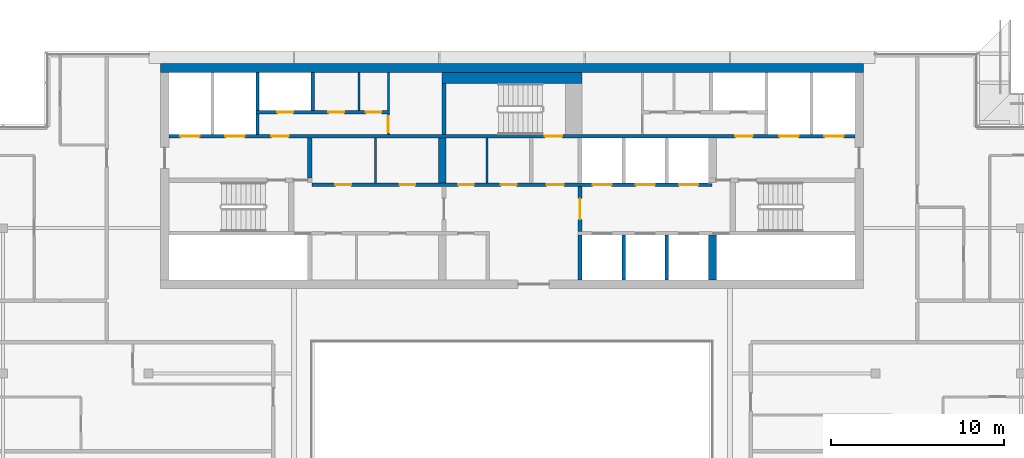
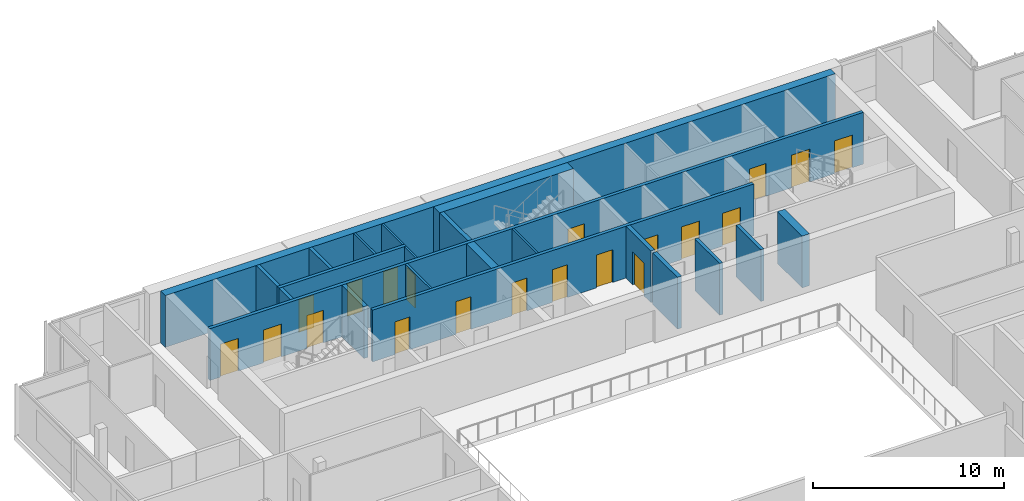
# One storey, part 19 of 24: 21 walls, 20 doors, 20 openings.
"""IFC4 building model written with IfcOpenShell, lengths in metres."""

from ifc_helpers import new_model, si_unit, direction, frame, frame_2d, origin, place, context, subcontext, project, spatial, rectangle, extrude, material, layer, layer_set, type_object, element, fill, save


model = new_model("IFC4")

# Units and contexts
model_context = context("Model", 3, precision=1e-05, world=origin(), true_north=direction((0.0, 1.0)))
body_context = subcontext(model_context, "Body", "Model", "MODEL_VIEW")
ifc_project = project(units=[si_unit("LENGTHUNIT", "METRE"), si_unit("AREAUNIT", "SQUARE_METRE"), si_unit("VOLUMEUNIT", "CUBIC_METRE"), si_unit("PLANEANGLEUNIT", "RADIAN"), si_unit("MASSUNIT", "GRAM", prefix="KILO")], contexts=[model_context])

# Site, building, storey
site_placement = place(None, origin())
site = spatial("IfcSite", under=ifc_project, at=site_placement, CompositionType="ELEMENT")
building_placement = place(site_placement, origin())
building = spatial("IfcBuilding", under=site, at=building_placement, Name="Saffron Gate Tower", CompositionType="ELEMENT")
storey_placement = place(building_placement, frame((0.0, 0.0, 281.550048828125)))
storey = spatial("IfcBuildingStorey", under=building, at=storey_placement, Name="L68", CompositionType="ELEMENT", Elevation=281.550048828125)

# Walls
ifc_material_1 = material(Name="Concrete C50", Category="concrete")
ifc_layer_1 = layer(ifc_material_1, 0.5)
ifc_layer_set_1 = layer_set([ifc_layer_1], Name="CW22 RC core wall 500 C50")
wall_type_1 = type_object("IfcWallType", Name="CW22 RC core wall 500 C50", PredefinedType="SOLIDWALL", material=ifc_layer_set_1)
wall_1_placement = place(storey_placement, frame((67.300048828125, 74.64990234375, 0.0), z_axis=(0.0, 0.0, 1.0), x_axis=(1.0, 0.0, 0.0)))
element("IfcWall", 1, at=wall_1_placement, inside=storey, type_object=wall_type_1, Name="Wall CW22-L68-2", PredefinedType="SOLIDWALL", context=body_context, shape_type="SweptSolid", body=[
    extrude(rectangle(XDim=40.599853515625, YDim=0.5, at=frame_2d((20.2998046875, 0.0))), origin(), (0.0, 0.0, 1.0), 3.320068359375),
])
ifc_layer_2 = layer(ifc_material_1, 0.25)
ifc_layer_set_2 = layer_set([ifc_layer_2], Name="CW23 RC core wall 250 C50")
wall_type_2 = type_object("IfcWallType", Name="CW23 RC core wall 250 C50", PredefinedType="SOLIDWALL", material=ifc_layer_set_2)
wall_2_placement = place(storey_placement, frame((91.52490234375, 62.39990234375, 0.0), z_axis=(0.0, 0.0, 1.0), x_axis=(0.0, 1.0, 0.0)))
element("IfcWall", 2, at=wall_2_placement, inside=storey, type_object=wall_type_2, Name="Wall CW23-L68-9", PredefinedType="SOLIDWALL", context=body_context, shape_type="SweptSolid", body=[
    extrude(rectangle(XDim=2.60009765625, YDim=0.25, at=frame_2d((1.300048828125, 0.0))), origin(), (0.0, 0.0, 1.0), 3.320068359375),
])

# Wall, opening, door
wall_3_placement = place(storey_placement, frame((91.52490234375, 65.199951171875, 0.0), z_axis=(0.0, 0.0, 1.0), x_axis=(0.0, 1.0, 0.0)))
wall_3 = element("IfcWall", 3, at=wall_3_placement, inside=storey, type_object=wall_type_2, Name="Wall CW23-L68-17", PredefinedType="SOLIDWALL", context=body_context, shape_type="SweptSolid", body=[
    extrude(rectangle(XDim=2.60009765625, YDim=0.25, at=frame_2d((1.300048828125, 0.0))), origin(), (0.0, 0.0, 1.0), 3.320068359375),
])
opening_1_placement = place(wall_3_placement, frame((0.699951171875, 0.0, 0.0)))
opening_1 = element("IfcOpeningElement", 4, at=opening_1_placement, cuts=wall_3, Name="Opening CR-01", PredefinedType="OPENING", context=body_context, shape_type="SweptSolid", body=[
    extrude(rectangle(XDim=1.199951171875, YDim=2.10009765625, at=frame_2d((0.60009765625, 1.050048828125))), frame((0.0, 0.135009765625, 0.0), z_axis=(0.0, -1.0, 0.0), x_axis=(1.0, 0.0, 0.0)), (0.0, 0.0, 1.0), 0.27001953125),
])
ifc_material_2 = material(Name="Steel fire door set", Category="steel")
door_type_1 = type_object("IfcDoorType", Name="CD3 Lobby door 1200x2100 EI 120", OperationType="NOTDEFINED", PredefinedType="DOOR", material=ifc_material_2)
door_1_placement = place(opening_1_placement, origin())
door_1 = element("IfcDoor", 5, at=door_1_placement, inside=storey, type_object=door_type_1, Name="DOOR CR-01", OperationType="SINGLE_SWING_RIGHT", OverallHeight=2.10009765625, OverallWidth=1.199951171875, PredefinedType="DOOR", context=body_context, shape_type="SweptSolid", body=[
    extrude(rectangle(XDim=1.199951171875, YDim=2.10009765625, at=frame_2d((0.60009765625, 1.050048828125))), frame((0.0, 0.02490234375, 0.0), z_axis=(0.0, -1.0, 0.0), x_axis=(1.0, 0.0, 0.0)), (0.0, 0.0, 1.0), 0.050048828125),
])
fill(opening_1, door_1)

# Walls
wall_4_placement = place(storey_placement, frame((75.925048828125, 68.300048828125, 0.0), z_axis=(0.0, 0.0, 1.0), x_axis=(0.0, 1.0, 0.0)))
element("IfcWall", 6, at=wall_4_placement, inside=storey, type_object=wall_type_2, Name="Wall CW23-L68-30", PredefinedType="SOLIDWALL", context=body_context, shape_type="SweptSolid", body=[
    extrude(rectangle(XDim=2.300048828125, YDim=0.25, at=frame_2d((1.14990234375, 0.0))), origin(), (0.0, 0.0, 1.0), 3.320068359375),
])
wall_5_placement = place(storey_placement, frame((83.675048828125, 70.800048828125, 0.0), z_axis=(0.0, 0.0, 1.0), x_axis=(0.0, 1.0, 0.0)))
element("IfcWall", 7, at=wall_5_placement, inside=storey, type_object=wall_type_2, Name="Wall CW23-L68-36", PredefinedType="SOLIDWALL", context=body_context, shape_type="SweptSolid", body=[
    extrude(rectangle(XDim=2.949951171875, YDim=0.25, at=frame_2d((1.47509765625, 0.0))), origin(), (0.0, 0.0, 1.0), 3.320068359375),
])
ifc_layer_3 = layer(ifc_material_1, 0.449951171875)
ifc_layer_set_3 = layer_set([ifc_layer_3], Name="CW24 RC core wall 450 C50")
wall_type_3 = type_object("IfcWallType", Name="CW24 RC core wall 450 C50", PredefinedType="SOLIDWALL", material=ifc_layer_set_3)
for number, where, z_axis, x_axis, name in (
    (8, (99.175048828125, 62.39990234375, 0.0), (0.0, 0.0, 1.0), (0.0, 1.0, 0.0), "Wall CW24-L68-12"),
    (9, (83.574951171875, 68.0, 0.0), (0.0, 0.0, 1.0), (0.0, 1.0, 0.0), "Wall CW24-L68-21"),
):
    element("IfcWall", number, at=place(storey_placement, frame(where, z_axis=z_axis, x_axis=x_axis)), inside=storey, type_object=wall_type_3, Name=name, PredefinedType="SOLIDWALL", context=body_context, shape_type="SweptSolid", body=[
        extrude(rectangle(XDim=2.60009765625, YDim=0.449951171875, at=frame_2d((1.300048828125, 0.0))), origin(), (0.0, 0.0, 1.0), 3.320068359375),
    ])
ifc_layer_4 = layer(ifc_material_1, 0.199951171875)
ifc_layer_set_4 = layer_set([ifc_layer_4], Name="CW25 RC core wall 200 C50")
wall_type_4 = type_object("IfcWallType", Name="CW25 RC core wall 200 C50", PredefinedType="SOLIDWALL", material=ifc_layer_set_4)
for number, where, z_axis, x_axis, name in (
    (10, (94.050048828125, 62.39990234375, 0.0), (0.0, 0.0, 1.0), (0.0, 1.0, 0.0), "Wall CW25-L68-10"),
    (11, (96.550048828125, 62.39990234375, 0.0), (0.0, 0.0, 1.0), (0.0, 1.0, 0.0), "Wall CW25-L68-11"),
):
    element("IfcWall", number, at=place(storey_placement, frame(where, z_axis=z_axis, x_axis=x_axis)), inside=storey, type_object=wall_type_4, Name=name, PredefinedType="SOLIDWALL", context=body_context, shape_type="SweptSolid", body=[
        extrude(rectangle(XDim=2.60009765625, YDim=0.199951171875, at=frame_2d((1.300048828125, 0.0))), origin(), (0.0, 0.0, 1.0), 3.320068359375),
    ])

# Wall, openings, doors
wall_6_placement = place(storey_placement, frame((76.050048828125, 67.89990234375, 0.0), z_axis=(0.0, 0.0, 1.0), x_axis=(1.0, 0.0, 0.0)))
wall_6 = element("IfcWall", 12, at=wall_6_placement, inside=storey, type_object=wall_type_4, Name="Wall CW25-L68-19", PredefinedType="SOLIDWALL", context=body_context, shape_type="SweptSolid", body=[
    extrude(rectangle(XDim=23.099853515625, YDim=0.199951171875, at=frame_2d((11.5498046875, 0.0))), origin(), (0.0, 0.0, 1.0), 3.320068359375),
])
opening_2_placement = place(wall_6_placement, frame((1.35009765625, 0.0, 0.0)))
opening_2 = element("IfcOpeningElement", 13, at=opening_2_placement, cuts=wall_6, Name="Opening CR-61", PredefinedType="OPENING", context=body_context, shape_type="SweptSolid", body=[
    extrude(rectangle(XDim=0.89990234375, YDim=2.10009765625, at=frame_2d((0.449951171875, 1.050048828125))), frame((0.0, 0.10986328125, 0.0), z_axis=(0.0, -1.0, 0.0), x_axis=(1.0, 0.0, 0.0)), (0.0, 0.0, 1.0), 0.219970703125),
])
opening_3_placement = place(wall_6_placement, frame((5.06005859375, 0.0, 0.0)))
opening_3 = element("IfcOpeningElement", 14, at=opening_3_placement, cuts=wall_6, Name="Opening CR-62", PredefinedType="OPENING", context=body_context, shape_type="SweptSolid", body=[
    extrude(rectangle(XDim=0.89990234375, YDim=2.10009765625, at=frame_2d((0.449951171875, 1.050048828125))), frame((0.0, 0.10986328125, 0.0), z_axis=(0.0, -1.0, 0.0), x_axis=(1.0, 0.0, 0.0)), (0.0, 0.0, 1.0), 0.219970703125),
])
opening_4_placement = place(wall_6_placement, frame((8.449951171875, 0.0, 0.0)))
opening_4 = element("IfcOpeningElement", 15, at=opening_4_placement, cuts=wall_6, Name="Opening CR-67", PredefinedType="OPENING", context=body_context, shape_type="SweptSolid", body=[
    extrude(rectangle(XDim=0.89990234375, YDim=2.10009765625, at=frame_2d((0.449951171875, 1.050048828125))), frame((0.0, 0.10986328125, 0.0), z_axis=(0.0, -1.0, 0.0), x_axis=(1.0, 0.0, 0.0)), (0.0, 0.0, 1.0), 0.219970703125),
])
opening_5_placement = place(wall_6_placement, frame((10.909912109375, 0.0, 0.0)))
opening_5 = element("IfcOpeningElement", 16, at=opening_5_placement, cuts=wall_6, Name="Opening CR-68", PredefinedType="OPENING", context=body_context, shape_type="SweptSolid", body=[
    extrude(rectangle(XDim=0.89990234375, YDim=2.10009765625, at=frame_2d((0.449951171875, 1.050048828125))), frame((0.0, 0.10986328125, 0.0), z_axis=(0.0, -1.0, 0.0), x_axis=(1.0, 0.0, 0.0)), (0.0, 0.0, 1.0), 0.219970703125),
])
opening_6_placement = place(wall_6_placement, frame((13.550048828125, 0.0, 0.0)))
opening_6 = element("IfcOpeningElement", 17, at=opening_6_placement, cuts=wall_6, Name="Opening CR-02", PredefinedType="OPENING", context=body_context, shape_type="SweptSolid", body=[
    extrude(rectangle(XDim=1.0, YDim=2.10009765625, at=frame_2d((0.5, 1.050048828125))), frame((0.0, 0.10986328125, 0.0), z_axis=(0.0, -1.0, 0.0), x_axis=(1.0, 0.0, 0.0)), (0.0, 0.0, 1.0), 0.219970703125),
])
opening_7_placement = place(wall_6_placement, frame((16.199951171875, 0.0, 0.0)))
opening_7 = element("IfcOpeningElement", 18, at=opening_7_placement, cuts=wall_6, Name="Opening LD-HR4", PredefinedType="OPENING", context=body_context, shape_type="SweptSolid", body=[
    extrude(rectangle(XDim=1.10009765625, YDim=2.10009765625, at=frame_2d((0.550048828125, 1.050048828125))), frame((0.0, 0.10986328125, 0.0), z_axis=(0.0, -1.0, 0.0), x_axis=(1.0, 0.0, 0.0)), (0.0, 0.0, 1.0), 0.219970703125),
])
opening_8_placement = place(wall_6_placement, frame((18.699951171875, 0.0, 0.0)))
opening_8 = element("IfcOpeningElement", 19, at=opening_8_placement, cuts=wall_6, Name="Opening LD-HR5", PredefinedType="OPENING", context=body_context, shape_type="SweptSolid", body=[
    extrude(rectangle(XDim=1.10009765625, YDim=2.10009765625, at=frame_2d((0.550048828125, 1.050048828125))), frame((0.0, 0.10986328125, 0.0), z_axis=(0.0, -1.0, 0.0), x_axis=(1.0, 0.0, 0.0)), (0.0, 0.0, 1.0), 0.219970703125),
])
opening_9_placement = place(wall_6_placement, frame((21.199951171875, 0.0, 0.0)))
opening_9 = element("IfcOpeningElement", 20, at=opening_9_placement, cuts=wall_6, Name="Opening LD-HR6", PredefinedType="OPENING", context=body_context, shape_type="SweptSolid", body=[
    extrude(rectangle(XDim=1.10009765625, YDim=2.10009765625, at=frame_2d((0.550048828125, 1.050048828125))), frame((0.0, 0.10986328125, 0.0), z_axis=(0.0, -1.0, 0.0), x_axis=(1.0, 0.0, 0.0)), (0.0, 0.0, 1.0), 0.219970703125),
])
door_type_2 = type_object("IfcDoorType", Name="CD4 Lobby door 1000x2100 EI 120", OperationType="NOTDEFINED", PredefinedType="DOOR", material=ifc_material_2)
door_2_placement = place(opening_6_placement, origin())
door_2 = element("IfcDoor", 21, at=door_2_placement, inside=storey, type_object=door_type_2, Name="DOOR CR-02", OperationType="SINGLE_SWING_LEFT", OverallHeight=2.10009765625, OverallWidth=1.0, PredefinedType="DOOR", context=body_context, shape_type="SweptSolid", body=[
    extrude(rectangle(XDim=1.0, YDim=2.10009765625, at=frame_2d((0.5, 1.050048828125))), frame((0.0, 0.02490234375, 0.0), z_axis=(0.0, -1.0, 0.0), x_axis=(1.0, 0.0, 0.0)), (0.0, 0.0, 1.0), 0.050048828125),
])
fill(opening_6, door_2)
door_type_3 = type_object("IfcDoorType", Name="CD9 Room door 900x2100 EI 60", OperationType="NOTDEFINED", PredefinedType="DOOR", material=ifc_material_2)
door_3_placement = place(opening_2_placement, origin())
door_3 = element("IfcDoor", 22, at=door_3_placement, inside=storey, type_object=door_type_3, Name="DOOR CR-61", OperationType="SINGLE_SWING_LEFT", OverallHeight=2.10009765625, OverallWidth=0.89990234375, PredefinedType="DOOR", context=body_context, shape_type="SweptSolid", body=[
    extrude(rectangle(XDim=0.89990234375, YDim=2.10009765625, at=frame_2d((0.449951171875, 1.050048828125))), frame((0.0, 0.02490234375, 0.0), z_axis=(0.0, -1.0, 0.0), x_axis=(1.0, 0.0, 0.0)), (0.0, 0.0, 1.0), 0.050048828125),
])
fill(opening_2, door_3)
door_4_placement = place(opening_3_placement, origin())
door_4 = element("IfcDoor", 23, at=door_4_placement, inside=storey, type_object=door_type_3, Name="DOOR CR-62", OperationType="SINGLE_SWING_LEFT", OverallHeight=2.10009765625, OverallWidth=0.89990234375, PredefinedType="DOOR", context=body_context, shape_type="SweptSolid", body=[
    extrude(rectangle(XDim=0.89990234375, YDim=2.10009765625, at=frame_2d((0.449951171875, 1.050048828125))), frame((0.0, 0.02490234375, 0.0), z_axis=(0.0, -1.0, 0.0), x_axis=(1.0, 0.0, 0.0)), (0.0, 0.0, 1.0), 0.050048828125),
])
fill(opening_3, door_4)
door_5_placement = place(opening_4_placement, origin())
door_5 = element("IfcDoor", 24, at=door_5_placement, inside=storey, type_object=door_type_3, Name="DOOR CR-67", OperationType="SINGLE_SWING_LEFT", OverallHeight=2.10009765625, OverallWidth=0.89990234375, PredefinedType="DOOR", context=body_context, shape_type="SweptSolid", body=[
    extrude(rectangle(XDim=0.89990234375, YDim=2.10009765625, at=frame_2d((0.449951171875, 1.050048828125))), frame((0.0, 0.02490234375, 0.0), z_axis=(0.0, -1.0, 0.0), x_axis=(1.0, 0.0, 0.0)), (0.0, 0.0, 1.0), 0.050048828125),
])
fill(opening_4, door_5)
door_6_placement = place(opening_5_placement, origin())
door_6 = element("IfcDoor", 25, at=door_6_placement, inside=storey, type_object=door_type_3, Name="DOOR CR-68", OperationType="SINGLE_SWING_LEFT", OverallHeight=2.10009765625, OverallWidth=0.89990234375, PredefinedType="DOOR", context=body_context, shape_type="SweptSolid", body=[
    extrude(rectangle(XDim=0.89990234375, YDim=2.10009765625, at=frame_2d((0.449951171875, 1.050048828125))), frame((0.0, 0.02490234375, 0.0), z_axis=(0.0, -1.0, 0.0), x_axis=(1.0, 0.0, 0.0)), (0.0, 0.0, 1.0), 0.050048828125),
])
fill(opening_5, door_6)
ifc_material_3 = material(Name="Stainless steel landing door", Category="steel")
door_type_4 = type_object("IfcDoorType", Name="LD Lift landing door 1100x2100 EI 120", OperationType="SLIDING_TO_LEFT", PredefinedType="DOOR", material=ifc_material_3)
door_7_placement = place(opening_7_placement, origin())
door_7 = element("IfcDoor", 26, at=door_7_placement, inside=storey, type_object=door_type_4, Name="LANDING DOOR LD-HR4", OperationType="SLIDING_TO_RIGHT", OverallHeight=2.10009765625, OverallWidth=1.10009765625, PredefinedType="DOOR", context=body_context, shape_type="SweptSolid", body=[
    extrude(rectangle(XDim=1.10009765625, YDim=2.10009765625, at=frame_2d((0.550048828125, 1.050048828125))), frame((0.0, 0.02490234375, 0.0), z_axis=(0.0, -1.0, 0.0), x_axis=(1.0, 0.0, 0.0)), (0.0, 0.0, 1.0), 0.050048828125),
])
fill(opening_7, door_7)
door_8_placement = place(opening_8_placement, origin())
door_8 = element("IfcDoor", 27, at=door_8_placement, inside=storey, type_object=door_type_4, Name="LANDING DOOR LD-HR5", OperationType="SLIDING_TO_RIGHT", OverallHeight=2.10009765625, OverallWidth=1.10009765625, PredefinedType="DOOR", context=body_context, shape_type="SweptSolid", body=[
    extrude(rectangle(XDim=1.10009765625, YDim=2.10009765625, at=frame_2d((0.550048828125, 1.050048828125))), frame((0.0, 0.02490234375, 0.0), z_axis=(0.0, -1.0, 0.0), x_axis=(1.0, 0.0, 0.0)), (0.0, 0.0, 1.0), 0.050048828125),
])
fill(opening_8, door_8)
door_9_placement = place(opening_9_placement, origin())
door_9 = element("IfcDoor", 28, at=door_9_placement, inside=storey, type_object=door_type_4, Name="LANDING DOOR LD-HR6", OperationType="SLIDING_TO_RIGHT", OverallHeight=2.10009765625, OverallWidth=1.10009765625, PredefinedType="DOOR", context=body_context, shape_type="SweptSolid", body=[
    extrude(rectangle(XDim=1.10009765625, YDim=2.10009765625, at=frame_2d((0.550048828125, 1.050048828125))), frame((0.0, 0.02490234375, 0.0), z_axis=(0.0, -1.0, 0.0), x_axis=(1.0, 0.0, 0.0)), (0.0, 0.0, 1.0), 0.050048828125),
])
fill(opening_9, door_9)

wall_7_placement = place(storey_placement, frame((67.800048828125, 70.699951171875, 0.0), z_axis=(0.0, 0.0, 1.0), x_axis=(1.0, 0.0, 0.0)))
wall_7 = element("IfcWall", 29, at=wall_7_placement, inside=storey, type_object=wall_type_4, Name="Wall CW25-L68-32", PredefinedType="SOLIDWALL", context=body_context, shape_type="SweptSolid", body=[
    extrude(rectangle(XDim=39.599853515625, YDim=0.199951171875, at=frame_2d((19.7998046875, 0.0))), origin(), (0.0, 0.0, 1.0), 3.320068359375),
])
opening_10_placement = place(wall_7_placement, frame((0.64990234375, 0.0, 0.0)))
opening_10 = element("IfcOpeningElement", 30, at=opening_10_placement, cuts=wall_7, Name="Opening LD-FF1", PredefinedType="OPENING", context=body_context, shape_type="SweptSolid", body=[
    extrude(rectangle(XDim=1.10009765625, YDim=2.10009765625, at=frame_2d((0.550048828125, 1.050048828125))), frame((0.0, 0.10986328125, 0.0), z_axis=(0.0, -1.0, 0.0), x_axis=(1.0, 0.0, 0.0)), (0.0, 0.0, 1.0), 0.219970703125),
])
opening_11_placement = place(wall_7_placement, frame((3.25, 0.0, 0.0)))
opening_11 = element("IfcOpeningElement", 31, at=opening_11_placement, cuts=wall_7, Name="Opening LD-SV1", PredefinedType="OPENING", context=body_context, shape_type="SweptSolid", body=[
    extrude(rectangle(XDim=1.10009765625, YDim=2.10009765625, at=frame_2d((0.550048828125, 1.050048828125))), frame((0.0, 0.10986328125, 0.0), z_axis=(0.0, -1.0, 0.0), x_axis=(1.0, 0.0, 0.0)), (0.0, 0.0, 1.0), 0.219970703125),
])
opening_12_placement = place(wall_7_placement, frame((5.89990234375, 0.0, 0.0)))
opening_12 = element("IfcOpeningElement", 32, at=opening_12_placement, cuts=wall_7, Name="Opening CR-03", PredefinedType="OPENING", context=body_context, shape_type="SweptSolid", body=[
    extrude(rectangle(XDim=1.0, YDim=2.10009765625, at=frame_2d((0.5, 1.050048828125))), frame((0.0, 0.10986328125, 0.0), z_axis=(0.0, -1.0, 0.0), x_axis=(1.0, 0.0, 0.0)), (0.0, 0.0, 1.0), 0.219970703125),
])
opening_13_placement = place(wall_7_placement, frame((21.699951171875, 0.0, 0.0)))
opening_13 = element("IfcOpeningElement", 33, at=opening_13_placement, cuts=wall_7, Name="Opening CR-17", PredefinedType="OPENING", context=body_context, shape_type="SweptSolid", body=[
    extrude(rectangle(XDim=1.0, YDim=2.10009765625, at=frame_2d((0.5, 1.050048828125))), frame((0.0, 0.10986328125, 0.0), z_axis=(0.0, -1.0, 0.0), x_axis=(1.0, 0.0, 0.0)), (0.0, 0.0, 1.0), 0.219970703125),
])
opening_14_placement = place(wall_7_placement, frame((32.699951171875, 0.0, 0.0)))
opening_14 = element("IfcOpeningElement", 34, at=opening_14_placement, cuts=wall_7, Name="Opening CR-04", PredefinedType="OPENING", context=body_context, shape_type="SweptSolid", body=[
    extrude(rectangle(XDim=1.0, YDim=2.10009765625, at=frame_2d((0.5, 1.050048828125))), frame((0.0, 0.10986328125, 0.0), z_axis=(0.0, -1.0, 0.0), x_axis=(1.0, 0.0, 0.0)), (0.0, 0.0, 1.0), 0.219970703125),
])
opening_15_placement = place(wall_7_placement, frame((35.25, 0.0, 0.0)))
opening_15 = element("IfcOpeningElement", 35, at=opening_15_placement, cuts=wall_7, Name="Opening LD-SV2", PredefinedType="OPENING", context=body_context, shape_type="SweptSolid", body=[
    extrude(rectangle(XDim=1.10009765625, YDim=2.10009765625, at=frame_2d((0.550048828125, 1.050048828125))), frame((0.0, 0.10986328125, 0.0), z_axis=(0.0, -1.0, 0.0), x_axis=(1.0, 0.0, 0.0)), (0.0, 0.0, 1.0), 0.219970703125),
])
opening_16_placement = place(wall_7_placement, frame((37.85009765625, 0.0, 0.0)))
opening_16 = element("IfcOpeningElement", 36, at=opening_16_placement, cuts=wall_7, Name="Opening LD-FF2", PredefinedType="OPENING", context=body_context, shape_type="SweptSolid", body=[
    extrude(rectangle(XDim=1.10009765625, YDim=2.10009765625, at=frame_2d((0.550048828125, 1.050048828125))), frame((0.0, 0.10986328125, 0.0), z_axis=(0.0, -1.0, 0.0), x_axis=(1.0, 0.0, 0.0)), (0.0, 0.0, 1.0), 0.219970703125),
])
door_10_placement = place(opening_12_placement, origin())
door_10 = element("IfcDoor", 37, at=door_10_placement, inside=storey, type_object=door_type_2, Name="DOOR CR-03", OperationType="SINGLE_SWING_LEFT", OverallHeight=2.10009765625, OverallWidth=1.0, PredefinedType="DOOR", context=body_context, shape_type="SweptSolid", body=[
    extrude(rectangle(XDim=1.0, YDim=2.10009765625, at=frame_2d((0.5, 1.050048828125))), frame((0.0, 0.02490234375, 0.0), z_axis=(0.0, -1.0, 0.0), x_axis=(1.0, 0.0, 0.0)), (0.0, 0.0, 1.0), 0.050048828125),
])
fill(opening_12, door_10)
door_11_placement = place(opening_14_placement, origin())
door_11 = element("IfcDoor", 38, at=door_11_placement, inside=storey, type_object=door_type_2, Name="DOOR CR-04", OperationType="SINGLE_SWING_RIGHT", OverallHeight=2.10009765625, OverallWidth=1.0, PredefinedType="DOOR", context=body_context, shape_type="SweptSolid", body=[
    extrude(rectangle(XDim=1.0, YDim=2.10009765625, at=frame_2d((0.5, 1.050048828125))), frame((0.0, 0.02490234375, 0.0), z_axis=(0.0, -1.0, 0.0), x_axis=(1.0, 0.0, 0.0)), (0.0, 0.0, 1.0), 0.050048828125),
])
fill(opening_14, door_11)
door_type_5 = type_object("IfcDoorType", Name="CD5 Stair door 1000x2100 EI 120", OperationType="NOTDEFINED", PredefinedType="DOOR", material=ifc_material_2)
door_12_placement = place(opening_13_placement, origin())
door_12 = element("IfcDoor", 39, at=door_12_placement, inside=storey, type_object=door_type_5, Name="DOOR CR-17", OperationType="SINGLE_SWING_RIGHT", OverallHeight=2.10009765625, OverallWidth=1.0, PredefinedType="DOOR", context=body_context, shape_type="SweptSolid", body=[
    extrude(rectangle(XDim=1.0, YDim=2.10009765625, at=frame_2d((0.5, 1.050048828125))), frame((0.0, 0.02490234375, 0.0), z_axis=(0.0, -1.0, 0.0), x_axis=(1.0, 0.0, 0.0)), (0.0, 0.0, 1.0), 0.050048828125),
])
fill(opening_13, door_12)
door_13_placement = place(opening_10_placement, origin())
door_13 = element("IfcDoor", 40, at=door_13_placement, inside=storey, type_object=door_type_4, Name="LANDING DOOR LD-FF1", OperationType="SLIDING_TO_RIGHT", OverallHeight=2.10009765625, OverallWidth=1.10009765625, PredefinedType="DOOR", context=body_context, shape_type="SweptSolid", body=[
    extrude(rectangle(XDim=1.10009765625, YDim=2.10009765625, at=frame_2d((0.550048828125, 1.050048828125))), frame((0.0, 0.02490234375, 0.0), z_axis=(0.0, -1.0, 0.0), x_axis=(1.0, 0.0, 0.0)), (0.0, 0.0, 1.0), 0.050048828125),
])
fill(opening_10, door_13)
door_14_placement = place(opening_11_placement, origin())
door_14 = element("IfcDoor", 41, at=door_14_placement, inside=storey, type_object=door_type_4, Name="LANDING DOOR LD-SV1", OperationType="SLIDING_TO_RIGHT", OverallHeight=2.10009765625, OverallWidth=1.10009765625, PredefinedType="DOOR", context=body_context, shape_type="SweptSolid", body=[
    extrude(rectangle(XDim=1.10009765625, YDim=2.10009765625, at=frame_2d((0.550048828125, 1.050048828125))), frame((0.0, 0.02490234375, 0.0), z_axis=(0.0, -1.0, 0.0), x_axis=(1.0, 0.0, 0.0)), (0.0, 0.0, 1.0), 0.050048828125),
])
fill(opening_11, door_14)
door_15_placement = place(opening_15_placement, origin())
door_15 = element("IfcDoor", 42, at=door_15_placement, inside=storey, type_object=door_type_4, Name="LANDING DOOR LD-SV2", OperationType="SLIDING_TO_RIGHT", OverallHeight=2.10009765625, OverallWidth=1.10009765625, PredefinedType="DOOR", context=body_context, shape_type="SweptSolid", body=[
    extrude(rectangle(XDim=1.10009765625, YDim=2.10009765625, at=frame_2d((0.550048828125, 1.050048828125))), frame((0.0, 0.02490234375, 0.0), z_axis=(0.0, -1.0, 0.0), x_axis=(1.0, 0.0, 0.0)), (0.0, 0.0, 1.0), 0.050048828125),
])
fill(opening_15, door_15)
door_16_placement = place(opening_16_placement, origin())
door_16 = element("IfcDoor", 43, at=door_16_placement, inside=storey, type_object=door_type_4, Name="LANDING DOOR LD-FF2", OperationType="SLIDING_TO_RIGHT", OverallHeight=2.10009765625, OverallWidth=1.10009765625, PredefinedType="DOOR", context=body_context, shape_type="SweptSolid", body=[
    extrude(rectangle(XDim=1.10009765625, YDim=2.10009765625, at=frame_2d((0.550048828125, 1.050048828125))), frame((0.0, 0.02490234375, 0.0), z_axis=(0.0, -1.0, 0.0), x_axis=(1.0, 0.0, 0.0)), (0.0, 0.0, 1.0), 0.050048828125),
])
fill(opening_16, door_16)

# Wall
wall_8_placement = place(storey_placement, frame((72.89990234375, 70.800048828125, 0.0), z_axis=(0.0, 0.0, 1.0), x_axis=(0.0, 1.0, 0.0)))
element("IfcWall", 44, at=wall_8_placement, inside=storey, type_object=wall_type_4, Name="Wall CW25-L68-34", PredefinedType="SOLIDWALL", context=body_context, shape_type="SweptSolid", body=[
    extrude(rectangle(XDim=1.199951171875, YDim=0.199951171875, at=frame_2d((0.60009765625, 0.0))), origin(), (0.0, 0.0, 1.0), 3.320068359375),
])

# Wall, openings, doors
wall_9_placement = place(storey_placement, frame((72.800048828125, 72.10009765625, 0.0), z_axis=(0.0, 0.0, 1.0), x_axis=(1.0, 0.0, 0.0)))
wall_9 = element("IfcWall", 45, at=wall_9_placement, inside=storey, type_object=wall_type_4, Name="Wall CW25-L68-41", PredefinedType="SOLIDWALL", context=body_context, shape_type="SweptSolid", body=[
    extrude(rectangle(XDim=7.719970703125, YDim=0.199951171875, at=frame_2d((3.85986328125, 0.0))), origin(), (0.0, 0.0, 1.0), 3.320068359375),
])
opening_17_placement = place(wall_9_placement, frame((1.25, 0.0, 0.0)))
opening_17 = element("IfcOpeningElement", 46, at=opening_17_placement, cuts=wall_9, Name="Opening CR-71", PredefinedType="OPENING", context=body_context, shape_type="SweptSolid", body=[
    extrude(rectangle(XDim=0.89990234375, YDim=2.10009765625, at=frame_2d((0.449951171875, 1.050048828125))), frame((0.0, 0.10986328125, 0.0), z_axis=(0.0, -1.0, 0.0), x_axis=(1.0, 0.0, 0.0)), (0.0, 0.0, 1.0), 0.219970703125),
])
opening_18_placement = place(wall_9_placement, frame((4.199951171875, 0.0, 0.0)))
opening_18 = element("IfcOpeningElement", 47, at=opening_18_placement, cuts=wall_9, Name="Opening CR-55", PredefinedType="OPENING", context=body_context, shape_type="SweptSolid", body=[
    extrude(rectangle(XDim=0.89990234375, YDim=2.10009765625, at=frame_2d((0.449951171875, 1.050048828125))), frame((0.0, 0.10986328125, 0.0), z_axis=(0.0, -1.0, 0.0), x_axis=(1.0, 0.0, 0.0)), (0.0, 0.0, 1.0), 0.219970703125),
])
opening_19_placement = place(wall_9_placement, frame((6.360107421875, 0.0, 0.0)))
opening_19 = element("IfcOpeningElement", 48, at=opening_19_placement, cuts=wall_9, Name="Opening CR-58", PredefinedType="OPENING", context=body_context, shape_type="SweptSolid", body=[
    extrude(rectangle(XDim=0.89990234375, YDim=2.10009765625, at=frame_2d((0.449951171875, 1.050048828125))), frame((0.0, 0.10986328125, 0.0), z_axis=(0.0, -1.0, 0.0), x_axis=(1.0, 0.0, 0.0)), (0.0, 0.0, 1.0), 0.219970703125),
])
door_type_6 = type_object("IfcDoorType", Name="CD2 Riser door 900x2100 EI 60", OperationType="NOTDEFINED", PredefinedType="DOOR", material=ifc_material_2)
door_17_placement = place(opening_17_placement, origin())
door_17 = element("IfcDoor", 49, at=door_17_placement, inside=storey, type_object=door_type_6, Name="DOOR CR-71", OperationType="SINGLE_SWING_LEFT", OverallHeight=2.10009765625, OverallWidth=0.89990234375, PredefinedType="DOOR", context=body_context, shape_type="SweptSolid", body=[
    extrude(rectangle(XDim=0.89990234375, YDim=2.10009765625, at=frame_2d((0.449951171875, 1.050048828125))), frame((0.0, 0.02490234375, 0.0), z_axis=(0.0, -1.0, 0.0), x_axis=(1.0, 0.0, 0.0)), (0.0, 0.0, 1.0), 0.050048828125),
])
fill(opening_17, door_17)
door_18_placement = place(opening_18_placement, origin())
door_18 = element("IfcDoor", 50, at=door_18_placement, inside=storey, type_object=door_type_3, Name="DOOR CR-55", OperationType="SINGLE_SWING_LEFT", OverallHeight=2.10009765625, OverallWidth=0.89990234375, PredefinedType="DOOR", context=body_context, shape_type="SweptSolid", body=[
    extrude(rectangle(XDim=0.89990234375, YDim=2.10009765625, at=frame_2d((0.449951171875, 1.050048828125))), frame((0.0, 0.02490234375, 0.0), z_axis=(0.0, -1.0, 0.0), x_axis=(1.0, 0.0, 0.0)), (0.0, 0.0, 1.0), 0.050048828125),
])
fill(opening_18, door_18)
door_19_placement = place(opening_19_placement, origin())
door_19 = element("IfcDoor", 51, at=door_19_placement, inside=storey, type_object=door_type_3, Name="DOOR CR-58", OperationType="SINGLE_SWING_LEFT", OverallHeight=2.10009765625, OverallWidth=0.89990234375, PredefinedType="DOOR", context=body_context, shape_type="SweptSolid", body=[
    extrude(rectangle(XDim=0.89990234375, YDim=2.10009765625, at=frame_2d((0.449951171875, 1.050048828125))), frame((0.0, 0.02490234375, 0.0), z_axis=(0.0, -1.0, 0.0), x_axis=(1.0, 0.0, 0.0)), (0.0, 0.0, 1.0), 0.050048828125),
])
fill(opening_19, door_19)

# Walls
for number, where, z_axis, x_axis, name in (
    (52, (72.89990234375, 72.199951171875, 0.0), (0.0, 0.0, 1.0), (0.0, 1.0, 0.0), "Wall CW25-L68-43"),
    (53, (76.10009765625, 72.199951171875, 0.0), (0.0, 0.0, 1.0), (0.0, 1.0, 0.0), "Wall CW25-L68-44"),
):
    element("IfcWall", number, at=place(storey_placement, frame(where, z_axis=z_axis, x_axis=x_axis)), inside=storey, type_object=wall_type_4, Name=name, PredefinedType="SOLIDWALL", context=body_context, shape_type="SweptSolid", body=[
        extrude(rectangle(XDim=2.199951171875, YDim=0.199951171875, at=frame_2d((1.10009765625, 0.0))), origin(), (0.0, 0.0, 1.0), 3.320068359375),
    ])
ifc_layer_5 = layer(ifc_material_1, 0.64990234375)
ifc_layer_set_5 = layer_set([ifc_layer_5], Name="CW29 RC core wall 650 C50")
wall_type_5 = type_object("IfcWallType", Name="CW29 RC core wall 650 C50", PredefinedType="SOLIDWALL", material=ifc_layer_set_5)
wall_10_placement = place(storey_placement, frame((83.550048828125, 74.074951171875, 0.0), z_axis=(0.0, 0.0, 1.0), x_axis=(1.0, 0.0, 0.0)))
element("IfcWall", 54, at=wall_10_placement, inside=storey, type_object=wall_type_5, Name="Wall CW29-L68-51", PredefinedType="SOLIDWALL", context=body_context, shape_type="SweptSolid", body=[
    extrude(rectangle(XDim=8.099853515625, YDim=0.64990234375, at=frame_2d((4.0498046875, 0.0))), origin(), (0.0, 0.0, 1.0), 3.320068359375),
])
ifc_material_4 = material(Name="Gypsum board partition on steel studs", Category="steel")
ifc_layer_6 = layer(ifc_material_4, 0.1201171875)
ifc_layer_set_6 = layer_set([ifc_layer_6], Name="CW8 Core partition 120")
wall_type_6 = type_object("IfcWallType", Name="CW8 Core partition 120", PredefinedType="PARTITIONING", material=ifc_layer_set_6)
for number, where, z_axis, x_axis, name in (
    (55, (79.7099609375, 68.0, 0.0), (0.0, 0.0, 1.0), (0.0, 1.0, 0.0), "Wall CW8-L68-20"),
    (56, (86.159912109375, 68.0, 0.0), (0.0, 0.0, 1.0), (0.0, 1.0, 0.0), "Wall CW8-L68-22"),
):
    element("IfcWall", number, at=place(storey_placement, frame(where, z_axis=z_axis, x_axis=x_axis)), inside=storey, type_object=wall_type_6, Name=name, PredefinedType="PARTITIONING", context=body_context, shape_type="SweptSolid", body=[
        extrude(rectangle(XDim=2.60009765625, YDim=0.1201171875, at=frame_2d((1.300048828125, 0.0))), origin(), (0.0, 0.0, 1.0), 3.320068359375),
    ])

# Wall, opening, door
wall_11_placement = place(storey_placement, frame((80.4599609375, 70.800048828125, 0.0), z_axis=(0.0, 0.0, 1.0), x_axis=(0.0, 1.0, 0.0)))
wall_11 = element("IfcWall", 57, at=wall_11_placement, inside=storey, type_object=wall_type_6, Name="Wall CW8-L68-35", PredefinedType="PARTITIONING", context=body_context, shape_type="SweptSolid", body=[
    extrude(rectangle(XDim=1.199951171875, YDim=0.1201171875, at=frame_2d((0.60009765625, 0.0))), origin(), (0.0, 0.0, 1.0), 3.320068359375),
])
opening_20_placement = place(wall_11_placement, frame((0.14990234375, 0.0, 0.0)))
opening_20 = element("IfcOpeningElement", 58, at=opening_20_placement, cuts=wall_11, Name="Opening CR-60", PredefinedType="OPENING", context=body_context, shape_type="SweptSolid", body=[
    extrude(rectangle(XDim=0.89990234375, YDim=2.10009765625, at=frame_2d((0.449951171875, 1.050048828125))), frame((0.0, 0.070068359375, 0.0), z_axis=(0.0, -1.0, 0.0), x_axis=(1.0, 0.0, 0.0)), (0.0, 0.0, 1.0), 0.14013671875),
])
door_20_placement = place(opening_20_placement, origin())
door_20 = element("IfcDoor", 59, at=door_20_placement, inside=storey, type_object=door_type_3, Name="DOOR CR-60", OperationType="SINGLE_SWING_RIGHT", OverallHeight=2.10009765625, OverallWidth=0.89990234375, PredefinedType="DOOR", context=body_context, shape_type="SweptSolid", body=[
    extrude(rectangle(XDim=0.89990234375, YDim=2.10009765625, at=frame_2d((0.449951171875, 1.050048828125))), frame((0.0, 0.02490234375, 0.0), z_axis=(0.0, -1.0, 0.0), x_axis=(1.0, 0.0, 0.0)), (0.0, 0.0, 1.0), 0.050048828125),
])
fill(opening_20, door_20)

# Walls
for number, where, z_axis, x_axis, name in (
    (60, (78.760009765625, 72.199951171875, 0.0), (0.0, 0.0, 1.0), (0.0, 1.0, 0.0), "Wall CW8-L68-45"),
    (61, (80.4599609375, 72.199951171875, 0.0), (0.0, 0.0, 1.0), (0.0, 1.0, 0.0), "Wall CW8-L68-46"),
):
    element("IfcWall", number, at=place(storey_placement, frame(where, z_axis=z_axis, x_axis=x_axis)), inside=storey, type_object=wall_type_6, Name=name, PredefinedType="PARTITIONING", context=body_context, shape_type="SweptSolid", body=[
        extrude(rectangle(XDim=2.199951171875, YDim=0.1201171875, at=frame_2d((1.10009765625, 0.0))), origin(), (0.0, 0.0, 1.0), 3.320068359375),
    ])

save(model, "model.ifc")
